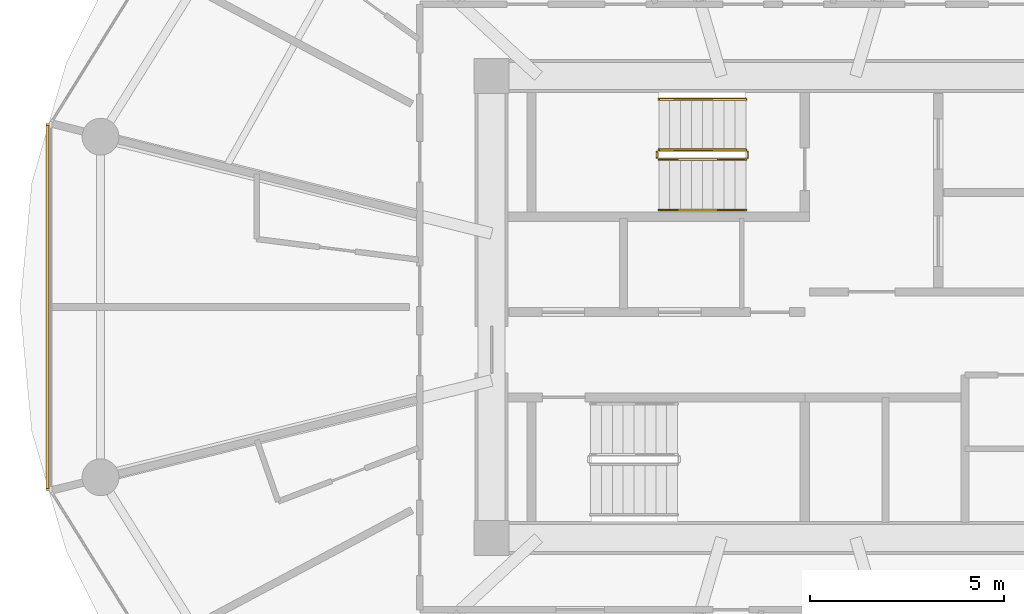
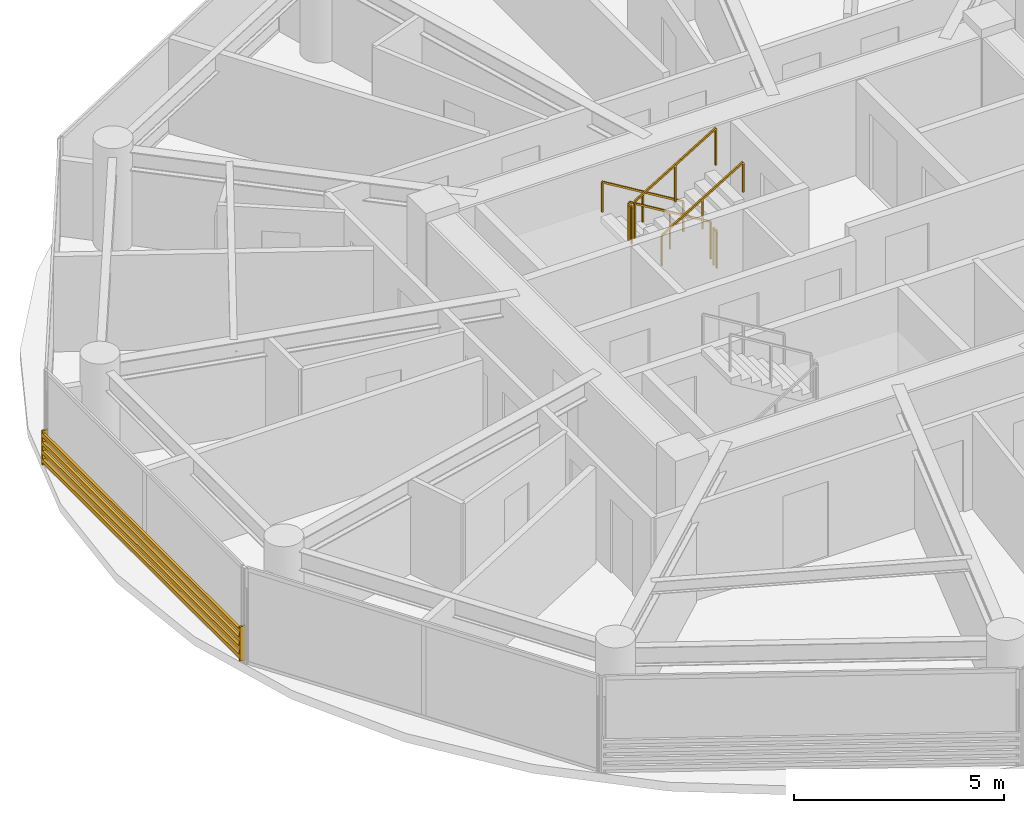
# One storey, part 24 of 27: 6 railings, 1 shading device.
"""IFC4 building model written with IfcOpenShell, lengths in metres."""

from ifc_helpers import new_model, si_unit, direction, frame, origin, origin_2d, place, context, subcontext, project, spatial, rectangle, extrude, source, transform, mapped, material, type_object, type_shapes, element, save


model = new_model("IFC4")

# Units and contexts
model_context = context("Model", 3, precision=1e-05, world=origin(), true_north=direction((0.0, 1.0)))
body_context = subcontext(model_context, "Body", "Model", "MODEL_VIEW")
ifc_project = project(units=[si_unit("LENGTHUNIT", "METRE"), si_unit("AREAUNIT", "SQUARE_METRE"), si_unit("VOLUMEUNIT", "CUBIC_METRE"), si_unit("PLANEANGLEUNIT", "RADIAN"), si_unit("MASSUNIT", "GRAM", prefix="KILO")], contexts=[model_context])

# Site, building, storey
site_placement = place(None, origin())
site = spatial("IfcSite", under=ifc_project, at=site_placement, CompositionType="ELEMENT")
building_placement = place(site_placement, origin())
building = spatial("IfcBuilding", under=site, at=building_placement, Name="Norrkilde Senior Care Towers", CompositionType="ELEMENT")
storey_placement = place(building_placement, frame((0.0, 0.0, 58.199951171875)))
storey = spatial("IfcBuildingStorey", under=building, at=storey_placement, Name="L17", CompositionType="ELEMENT", Elevation=58.199951171875)

# Railings
ifc_material_1 = material(Name="Stainless Steel", Category="steel")
railing_type_1 = type_object("IfcRailingType", Name="Stair and Terrace Guardrail 1100", PredefinedType="GUARDRAIL", material=ifc_material_1)
railing_1_placement = place(storey_placement, frame((-29.10009765625, 4.050048828125, 0.16943359375)))
element("IfcRailing", 1, at=railing_1_placement, inside=storey, type_object=railing_type_1, Name="L17 ST-W1 stair guard 1", PredefinedType="GUARDRAIL", context=body_context, shape_type="SweptSolid", body=[
    extrude(rectangle(XDim=0.048095703125, YDim=0.048095703125, at=origin_2d()), frame((0.0, 0.0, 1.076171875), z_axis=(-0.855512035549, 0.0, 0.517782924622), x_axis=(0.0, -1.0, 0.0)), (0.0, 0.0, 1.0), 2.618408203125),
    extrude(rectangle(XDim=0.0419921875, YDim=0.0419921875, at=origin_2d()), origin(), (0.0, 0.0, 1.0), 1.050048828125),
    extrude(rectangle(XDim=0.0419921875, YDim=0.0419921875, at=origin_2d()), frame((-1.1201171875, 0.0, 0.677734375)), (0.0, 0.0, 1.0), 1.050048828125),
    extrude(rectangle(XDim=0.0419921875, YDim=0.0419921875, at=origin_2d()), frame((-2.239990234375, 0.0, 1.355712890625)), (0.0, 0.0, 1.0), 1.050048828125),
])
railing_2_placement = place(storey_placement, frame((-31.389892578125, 4.0, 1.525146484375)))
element("IfcRailing", 2, at=railing_2_placement, inside=storey, type_object=railing_type_1, Name="L17 ST-W1 stair guard 2", PredefinedType="GUARDRAIL", context=body_context, shape_type="SweptSolid", body=[
    extrude(rectangle(XDim=0.048095703125, YDim=0.048095703125, at=origin_2d()), frame((0.0, 0.0, 1.076171875), z_axis=(0.0, -1.0, 0.0), x_axis=(1.0, 0.0, 0.0)), (0.0, 0.0, 1.0), 0.14990234375),
    extrude(rectangle(XDim=0.0419921875, YDim=0.0419921875, at=origin_2d()), origin(), (0.0, 0.0, 1.0), 1.050048828125),
    extrude(rectangle(XDim=0.0419921875, YDim=0.0419921875, at=origin_2d()), frame((0.0, -0.14990234375, 0.0)), (0.0, 0.0, 1.0), 1.050048828125),
])
railing_3_placement = place(storey_placement, frame((-31.340087890625, 3.800048828125, 1.694580078125)))
element("IfcRailing", 3, at=railing_3_placement, inside=storey, type_object=railing_type_1, Name="L17 ST-W1 stair guard 3", PredefinedType="GUARDRAIL", context=body_context, shape_type="SweptSolid", body=[
    extrude(rectangle(XDim=0.048095703125, YDim=0.048095703125, at=origin_2d()), frame((0.0, 0.0, 1.076171875), z_axis=(0.855553338991, 0.0, 0.51771467445), x_axis=(0.0, 1.0, 0.0)), (0.0, 0.0, 1.0), 2.6181640625),
    extrude(rectangle(XDim=0.0419921875, YDim=0.0419921875, at=origin_2d()), origin(), (0.0, 0.0, 1.0), 1.050048828125),
    extrude(rectangle(XDim=0.0419921875, YDim=0.0419921875, at=origin_2d()), frame((1.1201171875, 0.0, 0.677734375)), (0.0, 0.0, 1.0), 1.050048828125),
    extrude(rectangle(XDim=0.0419921875, YDim=0.0419921875, at=origin_2d()), frame((2.239990234375, 0.0, 1.35546875)), (0.0, 0.0, 1.0), 1.050048828125),
])
railing_4_placement = place(storey_placement, frame((-29.050048828125, 4.0, 0.0)))
element("IfcRailing", 4, at=railing_4_placement, inside=storey, type_object=railing_type_1, Name="L17 ST-W1 stair guard 4", PredefinedType="GUARDRAIL", context=body_context, shape_type="SweptSolid", body=[
    extrude(rectangle(XDim=0.048095703125, YDim=0.048095703125, at=origin_2d()), frame((0.0, 0.0, 1.076171875), z_axis=(0.0, -1.0, 0.0), x_axis=(1.0, 0.0, 0.0)), (0.0, 0.0, 1.0), 0.14990234375),
    extrude(rectangle(XDim=0.0419921875, YDim=0.0419921875, at=origin_2d()), origin(), (0.0, 0.0, 1.0), 1.050048828125),
    extrude(rectangle(XDim=0.0419921875, YDim=0.0419921875, at=origin_2d()), frame((0.0, -0.14990234375, 0.0)), (0.0, 0.0, 1.0), 1.050048828125),
])
ifc_material_2 = material(Name="Nordic Ash Timber", Category="wood")
railing_type_2 = type_object("IfcRailingType", Name="Wall and Stair Handrail 900", PredefinedType="HANDRAIL", material=ifc_material_2)
railing_5_placement = place(storey_placement, frame((-29.10009765625, 5.35009765625, 0.16943359375)))
element("IfcRailing", 5, at=railing_5_placement, inside=storey, type_object=railing_type_2, Name="L17 ST-W1 stair handrail 1", PredefinedType="HANDRAIL", context=body_context, shape_type="SweptSolid", body=[
    extrude(rectangle(XDim=0.048095703125, YDim=0.048095703125, at=origin_2d()), frame((0.0, 0.0, 0.8759765625), z_axis=(-0.855512035549, 0.0, 0.517782924622), x_axis=(0.0, -1.0, 0.0)), (0.0, 0.0, 1.0), 2.618408203125),
    extrude(rectangle(XDim=0.0419921875, YDim=0.0419921875, at=origin_2d()), origin(), (0.0, 0.0, 1.0), 0.849853515625),
    extrude(rectangle(XDim=0.0419921875, YDim=0.0419921875, at=origin_2d()), frame((-1.1201171875, 0.0, 0.677734375)), (0.0, 0.0, 1.0), 0.849853515625),
    extrude(rectangle(XDim=0.0419921875, YDim=0.0419921875, at=origin_2d()), frame((-2.239990234375, 0.0, 1.355712890625)), (0.0, 0.0, 1.0), 0.849853515625),
])
railing_6_placement = place(storey_placement, frame((-31.340087890625, 2.5, 1.694580078125)))
element("IfcRailing", 6, at=railing_6_placement, inside=storey, type_object=railing_type_2, Name="L17 ST-W1 stair handrail 2", PredefinedType="HANDRAIL", context=body_context, shape_type="SweptSolid", body=[
    extrude(rectangle(XDim=0.048095703125, YDim=0.048095703125, at=origin_2d()), frame((0.0, 0.0, 0.8759765625), z_axis=(0.855553338991, 0.0, 0.51771467445), x_axis=(0.0, 1.0, 0.0)), (0.0, 0.0, 1.0), 2.6181640625),
    extrude(rectangle(XDim=0.0419921875, YDim=0.0419921875, at=origin_2d()), origin(), (0.0, 0.0, 1.0), 0.849853515625),
    extrude(rectangle(XDim=0.0419921875, YDim=0.0419921875, at=origin_2d()), frame((1.1201171875, 0.0, 0.677734375)), (0.0, 0.0, 1.0), 0.849853515625),
    extrude(rectangle(XDim=0.0419921875, YDim=0.0419921875, at=origin_2d()), frame((2.239990234375, 0.0, 1.35546875)), (0.0, 0.0, 1.0), 0.849853515625),
])

# Shading device
ifc_material_3 = material(Name="Architectural Terracotta", Category="masonry")
shading_device_type = type_object("IfcShadingDeviceType", Name="Horizontal Terracotta Baguette Rack", PredefinedType="USERDEFINED", material=ifc_material_3)
shared_shape = source(origin(), body_context, "Body", "SweptSolid", [
    extrude(rectangle(XDim=0.070068359375, YDim=0.110107421875, at=origin_2d()), frame((0.0, 0.090087890625, 0.125), z_axis=(1.0, 0.0, 0.0), x_axis=(0.0, 1.0, 0.0)), (0.0, 0.0, 1.0), 9.46240234375),
    extrude(rectangle(XDim=0.070068359375, YDim=0.110107421875, at=origin_2d()), frame((0.0, 0.090087890625, 0.375), z_axis=(1.0, 0.0, 0.0), x_axis=(0.0, 1.0, 0.0)), (0.0, 0.0, 1.0), 9.46240234375),
    extrude(rectangle(XDim=0.070068359375, YDim=0.110107421875, at=origin_2d()), frame((0.0, 0.090087890625, 0.625), z_axis=(1.0, 0.0, 0.0), x_axis=(0.0, 1.0, 0.0)), (0.0, 0.0, 1.0), 9.46240234375),
    extrude(rectangle(XDim=0.070068359375, YDim=0.110107421875, at=origin_2d()), frame((0.0, 0.090087890625, 0.875), z_axis=(1.0, 0.0, 0.0), x_axis=(0.0, 1.0, 0.0)), (0.0, 0.0, 1.0), 9.46240234375),
    extrude(rectangle(XDim=0.050048828125, YDim=0.1552734375, at=origin_2d()), frame((0.02490234375, 0.047607421875, 0.0)), (0.0, 0.0, 1.0), 1.0),
    extrude(rectangle(XDim=0.050048828125, YDim=0.1552734375, at=origin_2d()), frame((9.4375, 0.047607421875, 0.0)), (0.0, 0.0, 1.0), 1.0),
])
type_shapes(shading_device_type, [shared_shape])
shading_device_placement = place(storey_placement, frame((-47.009521484375, -4.731201171875, 0.080078125), z_axis=(0.0, 0.0, 1.0), x_axis=(0.0, 1.0, 0.0)))
element("IfcShadingDevice", 7, at=shading_device_placement, inside=storey, type_object=shading_device_type, Name="L17 Drum W Terracotta Baguette Screen 05", ObjectType="BAGUETTE", PredefinedType="USERDEFINED", context=body_context, shape_type="MappedRepresentation", body=[
    mapped(shared_shape, transform((0.0, 0.0, 0.0), x_axis=(1.0, 0.0, 0.0), y_axis=(0.0, 1.0, 0.0), z_axis=(0.0, 0.0, 1.0), scale=1.0)),
])

save(model, "model.ifc")
